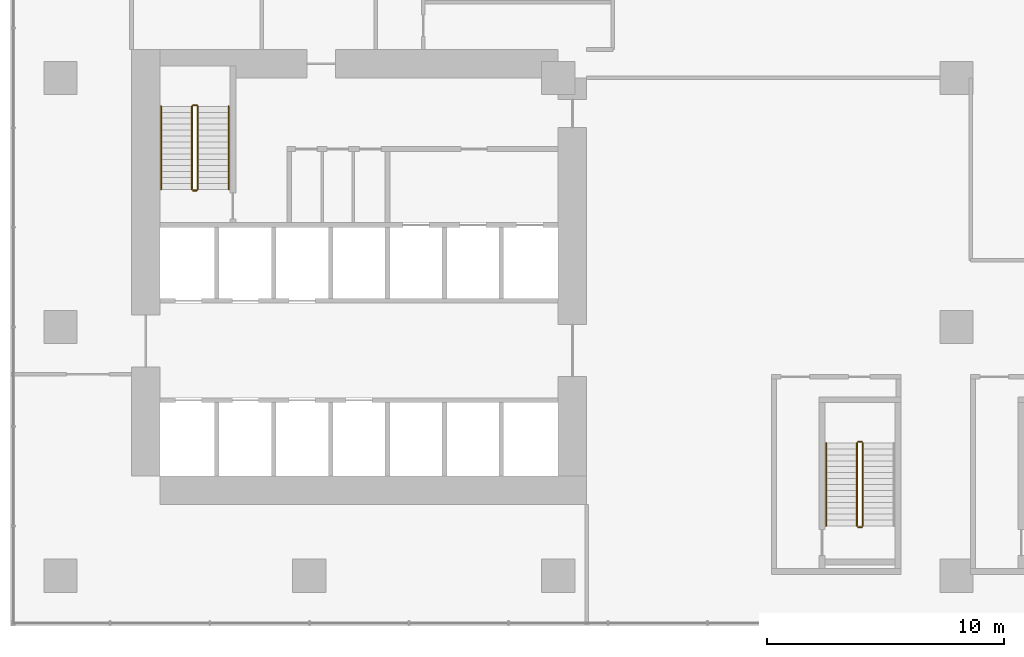
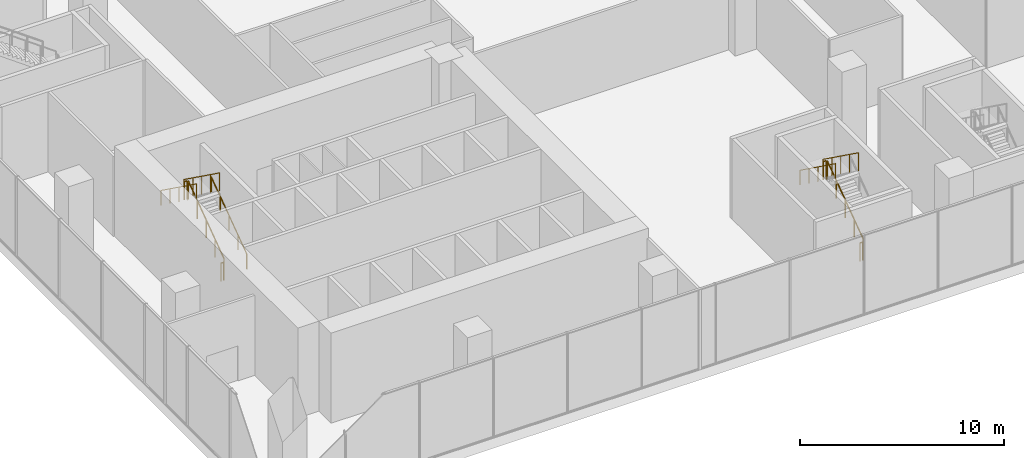
# One storey, part 19 of 22: 11 railings.
"""IFC4 building model written with IfcOpenShell, lengths in metres."""

from ifc_helpers import new_model, si_unit, direction, frame, origin, origin_2d, place, context, subcontext, project, spatial, circle, extrude, source, transform, mapped, material, type_object, element, save


model = new_model("IFC4")

# Units and contexts
model_context = context("Model", 3, precision=1e-05, world=origin(), true_north=direction((0.0, 1.0)))
body_context = subcontext(model_context, "Body", "Model", "MODEL_VIEW")
ifc_project = project(units=[si_unit("LENGTHUNIT", "METRE"), si_unit("AREAUNIT", "SQUARE_METRE"), si_unit("VOLUMEUNIT", "CUBIC_METRE"), si_unit("PLANEANGLEUNIT", "RADIAN"), si_unit("MASSUNIT", "GRAM", prefix="KILO")], contexts=[model_context])

# Site, building, storey
site_placement = place(None, origin())
site = spatial("IfcSite", under=ifc_project, at=site_placement, CompositionType="ELEMENT")
building_placement = place(site_placement, origin())
building = spatial("IfcBuilding", under=site, at=building_placement, Name="Aurelian Terraces", CompositionType="ELEMENT")
storey_placement = place(building_placement, frame((0.0, 0.0, 7.5)))
storey = spatial("IfcBuildingStorey", under=building, at=storey_placement, Name="L01", CompositionType="ELEMENT", Elevation=7.5)

# Railings
ifc_material = material(Name="Stainless steel", Category="steel")
railing_type_1 = type_object("IfcRailingType", Name="Stair guard 1100", PredefinedType="GUARDRAIL", material=ifc_material)
railing_1_placement = place(storey_placement, frame((5.8, 16.3, 0.18)))
element("IfcRailing", 1, at=railing_1_placement, inside=storey, type_object=railing_type_1, Name="L01 S1 stair guard 1", PredefinedType="GUARDRAIL", context=body_context, shape_type="SweptSolid", body=[
    extrude(circle(Radius=0.024, at=origin_2d()), frame((0.0, 0.0, 1.076), z_axis=(0.0, 0.811534341451, 0.584304725845), x_axis=(-1.0, 0.0, 0.0)), (0.0, 0.0, 1.0), 4.3128),
    extrude(circle(Radius=0.021, at=origin_2d()), origin(), (0.0, 0.0, 1.0), 1.052),
    extrude(circle(Radius=0.021, at=origin_2d()), frame((0.0, 0.875, 0.63)), (0.0, 0.0, 1.0), 1.052),
    extrude(circle(Radius=0.021, at=origin_2d()), frame((0.0, 1.75, 1.26)), (0.0, 0.0, 1.0), 1.052),
    extrude(circle(Radius=0.021, at=origin_2d()), frame((0.0, 2.625, 1.89)), (0.0, 0.0, 1.0), 1.052),
    extrude(circle(Radius=0.021, at=origin_2d()), frame((0.0, 3.5, 2.52)), (0.0, 0.0, 1.0), 1.052),
])
railing_2_placement = place(storey_placement, frame((5.55, 19.8, 2.88)))
element("IfcRailing", 2, at=railing_2_placement, inside=storey, type_object=railing_type_1, Name="L01 S1 stair guard 3", PredefinedType="GUARDRAIL", context=body_context, shape_type="SweptSolid", body=[
    extrude(circle(Radius=0.024, at=origin_2d()), frame((0.0, 0.0, 1.076), z_axis=(0.0, -0.811534341451, 0.584304725845), x_axis=(1.0, 0.0, 0.0)), (0.0, 0.0, 1.0), 4.3128),
    extrude(circle(Radius=0.021, at=origin_2d()), origin(), (0.0, 0.0, 1.0), 1.052),
    extrude(circle(Radius=0.021, at=origin_2d()), frame((0.0, -0.875, 0.63)), (0.0, 0.0, 1.0), 1.052),
    extrude(circle(Radius=0.021, at=origin_2d()), frame((0.0, -1.75, 1.26)), (0.0, 0.0, 1.0), 1.052),
    extrude(circle(Radius=0.021, at=origin_2d()), frame((0.0, -2.625, 1.89)), (0.0, 0.0, 1.0), 1.052),
    extrude(circle(Radius=0.021, at=origin_2d()), frame((0.0, -3.5, 2.52)), (0.0, 0.0, 1.0), 1.052),
])
railing_type_2 = type_object("IfcRailingType", Name="Stair handrail", PredefinedType="HANDRAIL", material=ifc_material)
railing_3_placement = place(storey_placement, frame((7.1, 16.3, 0.18)))
element("IfcRailing", 3, at=railing_3_placement, inside=storey, type_object=railing_type_2, Name="L01 S1 stair handrail 1", PredefinedType="HANDRAIL", context=body_context, shape_type="SweptSolid", body=[
    extrude(circle(Radius=0.024, at=origin_2d()), frame((0.0, 0.0, 0.876), z_axis=(0.0, 0.811534341451, 0.584304725845), x_axis=(-1.0, 0.0, 0.0)), (0.0, 0.0, 1.0), 4.3128),
    extrude(circle(Radius=0.021, at=origin_2d()), origin(), (0.0, 0.0, 1.0), 0.852),
    extrude(circle(Radius=0.021, at=origin_2d()), frame((0.0, 0.875, 0.63)), (0.0, 0.0, 1.0), 0.852),
    extrude(circle(Radius=0.021, at=origin_2d()), frame((0.0, 1.75, 1.26)), (0.0, 0.0, 1.0), 0.852),
    extrude(circle(Radius=0.021, at=origin_2d()), frame((0.0, 2.625, 1.89)), (0.0, 0.0, 1.0), 0.852),
    extrude(circle(Radius=0.021, at=origin_2d()), frame((0.0, 3.5, 2.52)), (0.0, 0.0, 1.0), 0.852),
])
railing_4_placement = place(storey_placement, frame((4.25, 19.8, 2.88)))
element("IfcRailing", 4, at=railing_4_placement, inside=storey, type_object=railing_type_2, Name="L01 S1 stair handrail 2", PredefinedType="HANDRAIL", context=body_context, shape_type="SweptSolid", body=[
    extrude(circle(Radius=0.024, at=origin_2d()), frame((0.0, 0.0, 0.876), z_axis=(0.0, -0.811534341451, 0.584304725845), x_axis=(1.0, 0.0, 0.0)), (0.0, 0.0, 1.0), 4.3128),
    extrude(circle(Radius=0.021, at=origin_2d()), origin(), (0.0, 0.0, 1.0), 0.852),
    extrude(circle(Radius=0.021, at=origin_2d()), frame((0.0, -0.875, 0.63)), (0.0, 0.0, 1.0), 0.852),
    extrude(circle(Radius=0.021, at=origin_2d()), frame((0.0, -1.75, 1.26)), (0.0, 0.0, 1.0), 0.852),
    extrude(circle(Radius=0.021, at=origin_2d()), frame((0.0, -2.625, 1.89)), (0.0, 0.0, 1.0), 0.852),
    extrude(circle(Radius=0.021, at=origin_2d()), frame((0.0, -3.5, 2.52)), (0.0, 0.0, 1.0), 0.852),
])
shared_shape_1 = source(origin(), body_context, "Body", "SweptSolid", [
    extrude(circle(Radius=0.024, at=origin_2d()), frame((0.0, 0.0, 1.076), z_axis=(-1.0, 0.0, 0.0), x_axis=(0.0, -1.0, 0.0)), (0.0, 0.0, 1.0), 0.15),
    extrude(circle(Radius=0.021, at=origin_2d()), origin(), (0.0, 0.0, 1.0), 1.052),
    extrude(circle(Radius=0.021, at=origin_2d()), frame((-0.15, 0.0, 0.0)), (0.0, 0.0, 1.0), 1.052),
])
for number, where, name in (
    (5, (5.75, 19.85, 2.7), "L01 S1 stair guard 2"),
    (6, (5.75, 16.25, 0.0), "L01 S1 stair guard 4"),
    (7, (33.8, 5.65, 2.7), "L01 S7 stair guard 2"),
    (8, (33.8, 2.05, 0.0), "L01 S7 stair guard 4"),
):
    element("IfcRailing", number, at=place(storey_placement, frame(where)), inside=storey, type_object=railing_type_1, Name=name, PredefinedType="GUARDRAIL", context=body_context, shape_type="MappedRepresentation", body=[
        mapped(shared_shape_1, transform((0.0, 0.0, 0.0), scale=1.0)),
    ])
shared_shape_2 = source(origin(), body_context, "Body", "SweptSolid", [
    extrude(circle(Radius=0.024, at=origin_2d()), frame((0.0, 0.0, 1.076), z_axis=(0.0, 0.811534341451, 0.584304725845), x_axis=(-1.0, 0.0, 0.0)), (0.0, 0.0, 1.0), 4.3128),
    extrude(circle(Radius=0.021, at=origin_2d()), origin(), (0.0, 0.0, 1.0), 1.052),
    extrude(circle(Radius=0.021, at=origin_2d()), frame((0.0, 0.875, 0.63)), (0.0, 0.0, 1.0), 1.052),
    extrude(circle(Radius=0.021, at=origin_2d()), frame((0.0, 1.75, 1.26)), (0.0, 0.0, 1.0), 1.052),
    extrude(circle(Radius=0.021, at=origin_2d()), frame((0.0, 2.625, 1.89)), (0.0, 0.0, 1.0), 1.052),
    extrude(circle(Radius=0.021, at=origin_2d()), frame((0.0, 3.5, 2.52)), (0.0, 0.0, 1.0), 1.052),
])
railing_5_placement = place(storey_placement, frame((33.85, 2.1, 0.18)))
element("IfcRailing", 9, at=railing_5_placement, inside=storey, type_object=railing_type_1, Name="L01 S7 stair guard 1", PredefinedType="GUARDRAIL", context=body_context, shape_type="MappedRepresentation", body=[
    mapped(shared_shape_2, transform((0.0, 0.0, 0.0), scale=1.0)),
])
shared_shape_3 = source(origin(), body_context, "Body", "SweptSolid", [
    extrude(circle(Radius=0.024, at=origin_2d()), frame((0.0, 0.0, 1.076), z_axis=(0.0, -0.811534341451, 0.584304725845), x_axis=(1.0, 0.0, 0.0)), (0.0, 0.0, 1.0), 4.3128),
    extrude(circle(Radius=0.021, at=origin_2d()), origin(), (0.0, 0.0, 1.0), 1.052),
    extrude(circle(Radius=0.021, at=origin_2d()), frame((0.0, -0.875, 0.63)), (0.0, 0.0, 1.0), 1.052),
    extrude(circle(Radius=0.021, at=origin_2d()), frame((0.0, -1.75, 1.26)), (0.0, 0.0, 1.0), 1.052),
    extrude(circle(Radius=0.021, at=origin_2d()), frame((0.0, -2.625, 1.89)), (0.0, 0.0, 1.0), 1.052),
    extrude(circle(Radius=0.021, at=origin_2d()), frame((0.0, -3.5, 2.52)), (0.0, 0.0, 1.0), 1.052),
])
railing_6_placement = place(storey_placement, frame((33.6, 5.6, 2.88)))
element("IfcRailing", 10, at=railing_6_placement, inside=storey, type_object=railing_type_1, Name="L01 S7 stair guard 3", PredefinedType="GUARDRAIL", context=body_context, shape_type="MappedRepresentation", body=[
    mapped(shared_shape_3, transform((0.0, 0.0, 0.0), scale=1.0)),
])
shared_shape_4 = source(origin(), body_context, "Body", "SweptSolid", [
    extrude(circle(Radius=0.024, at=origin_2d()), frame((0.0, 0.0, 0.876), z_axis=(0.0, -0.811534341451, 0.584304725845), x_axis=(1.0, 0.0, 0.0)), (0.0, 0.0, 1.0), 4.3128),
    extrude(circle(Radius=0.021, at=origin_2d()), origin(), (0.0, 0.0, 1.0), 0.852),
    extrude(circle(Radius=0.021, at=origin_2d()), frame((0.0, -0.875, 0.63)), (0.0, 0.0, 1.0), 0.852),
    extrude(circle(Radius=0.021, at=origin_2d()), frame((0.0, -1.75, 1.26)), (0.0, 0.0, 1.0), 0.852),
    extrude(circle(Radius=0.021, at=origin_2d()), frame((0.0, -2.625, 1.89)), (0.0, 0.0, 1.0), 0.852),
    extrude(circle(Radius=0.021, at=origin_2d()), frame((0.0, -3.5, 2.52)), (0.0, 0.0, 1.0), 0.852),
])
railing_7_placement = place(storey_placement, frame((32.3, 5.6, 2.88)))
element("IfcRailing", 11, at=railing_7_placement, inside=storey, type_object=railing_type_2, Name="L01 S7 stair handrail 2", PredefinedType="HANDRAIL", context=body_context, shape_type="MappedRepresentation", body=[
    mapped(shared_shape_4, transform((0.0, 0.0, 0.0), scale=1.0)),
])

save(model, "model.ifc")
